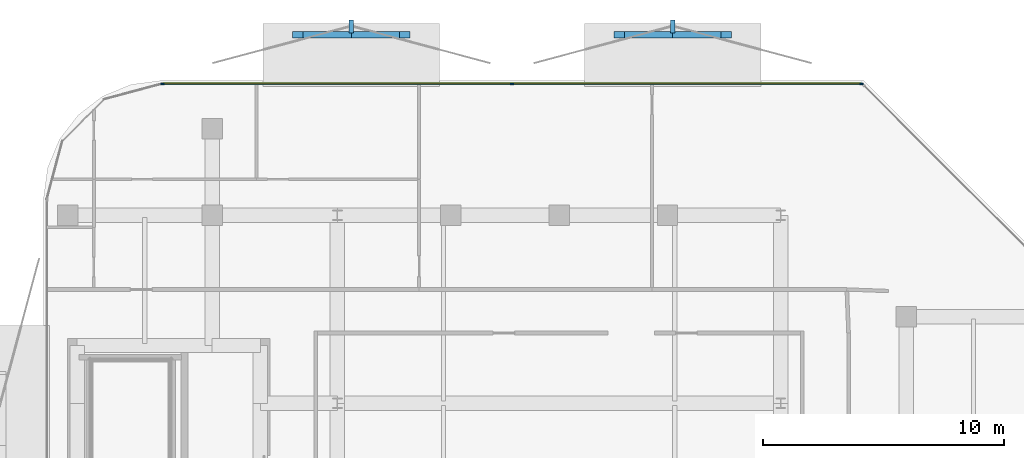
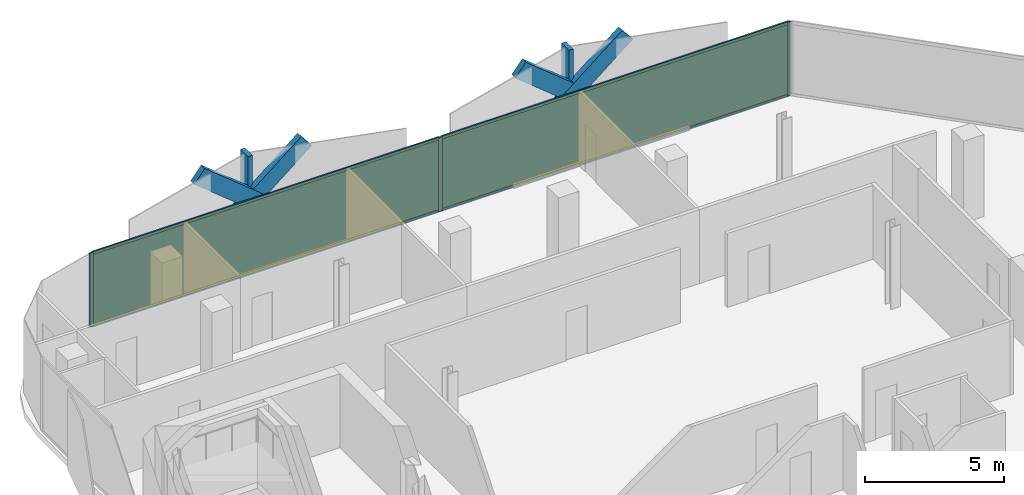
# One storey, part 10 of 15: 13 members, 2 plates, 1 curtain wall.
"""IFC4 building model written with IfcOpenShell, lengths in metres."""

import ifcopenshell
import ifcopenshell.guid

model = None  # the IFC model being written
_history = None  # IfcOwnerHistory: only IFC2X3 demands one
_inside = {}  # id of a spatial element -> (the spatial element, [elements in it])
_under = {}  # id of a project, library or spatial element -> (it, [spatial elements below it])
_declared = {}  # id of a project -> (the project, [libraries it declares])
_typed = {}  # id of a type object -> (the type object, [elements of that type])
_made_of = {}  # id of a material, layer set ... -> (it, [elements and type objects made of it])


def new_model(schema):
    """Start an empty IFC model of exactly this schema.

    Asked for "IFC4X3", IfcOpenShell would pick the latest addendum, in which some entities
    have other attributes; the version numbers below select the first issue.
    IFC2X3 requires an IfcOwnerHistory on every rooted entity: one is made here for all.
    """
    global model, _history
    if schema == "IFC4X3":
        model = ifcopenshell.file(schema_version=(4, 3, 0, 0))
    else:
        model = ifcopenshell.file(schema=schema)
    _inside.clear()
    _under.clear()
    _declared.clear()
    _typed.clear()
    _made_of.clear()
    _history = None
    if model.schema == "IFC2X3":
        org = make("IfcOrganization", Name="unknown")
        user = make(
            "IfcPersonAndOrganization",
            ThePerson=make("IfcPerson", FamilyName="unknown"),
            TheOrganization=org,
        )
        app = make(
            "IfcApplication",
            ApplicationDeveloper=org,
            Version="unknown",
            ApplicationFullName="unknown",
            ApplicationIdentifier="unknown",
        )
        _history = make(
            "IfcOwnerHistory",
            OwningUser=user,
            OwningApplication=app,
            ChangeAction="ADDED",
            CreationDate=0,
        )
    return model


def make(cls, **values):
    """One entity of the class cls with the attributes given. An attribute that is None is left unset."""
    return model.create_entity(
        cls, **{name: value for name, value in values.items() if value is not None}
    )


def rooted(cls, **values):
    """An entity with a GlobalId (a new one), such as an element, a storey or a relation."""
    return make(cls, GlobalId=ifcopenshell.guid.new(), OwnerHistory=_history, **values)


def si_unit(unit_type, name, prefix=None):
    """IfcSIUnit, for example si_unit("LENGTHUNIT", "METRE", prefix="MILLI")."""
    return make("IfcSIUnit", UnitType=unit_type, Prefix=prefix, Name=name)


def assignment(units):
    """IfcUnitAssignment: the units of a project."""
    return None if units is None else make("IfcUnitAssignment", Units=units)


def point(xyz):
    """IfcCartesianPoint."""
    return None if xyz is None else make("IfcCartesianPoint", Coordinates=xyz)


def direction(xyz):
    """IfcDirection."""
    return None if xyz is None else make("IfcDirection", DirectionRatios=xyz)


def frame(location, z_axis=None, x_axis=None):
    """IfcAxis2Placement3D, a coordinate frame: its origin and axes. An axis left out is left unset."""
    return make(
        "IfcAxis2Placement3D",
        Location=point(location),
        Axis=direction(z_axis),
        RefDirection=direction(x_axis),
    )


def frame_2d(location, x_axis=None):
    """IfcAxis2Placement2D, a coordinate frame in the plane: its origin and x axis."""
    return make(
        "IfcAxis2Placement2D", Location=point(location), RefDirection=direction(x_axis)
    )


def origin():
    """The frame at (0, 0, 0) with its axes left unset."""
    return frame((0.0, 0.0, 0.0))


def origin_2d():
    """The frame at (0, 0) in the plane with its x axis left unset."""
    return frame_2d((0.0, 0.0))


def place(relative_to, where):
    """IfcLocalPlacement: puts the frame where relative to a parent placement (None: the world)."""
    return make(
        "IfcLocalPlacement", PlacementRelTo=relative_to, RelativePlacement=where
    )


def context(
    kind, dimensions, precision=None, world=None, true_north=None, identifier=None
):
    """IfcGeometricRepresentationContext, for example the 3D "Model" context."""
    return make(
        "IfcGeometricRepresentationContext",
        ContextIdentifier=identifier,
        ContextType=kind,
        CoordinateSpaceDimension=dimensions,
        Precision=precision,
        WorldCoordinateSystem=world,
        TrueNorth=true_north,
    )


def subcontext(parent, identifier, kind, view, scale=None):
    """IfcGeometricRepresentationSubContext, for example "Body" below "Model"."""
    return make(
        "IfcGeometricRepresentationSubContext",
        ContextIdentifier=identifier,
        ContextType=kind,
        ParentContext=parent,
        TargetScale=scale,
        TargetView=view,
    )


def project(units=None, contexts=None):
    """IfcProject with its units and contexts."""
    return rooted(
        "IfcProject",
        Name="project",
        RepresentationContexts=contexts,
        UnitsInContext=assignment(units),
    )


def spatial(cls, under=None, at=None, **own):
    """A site, building, storey or space (cls), placed at a placement, below another one or the project."""
    s = rooted(cls, ObjectPlacement=at, **own)
    if under is not None:
        _under.setdefault(under.id(), (under, []))[1].append(s)
    return s


def profile(cls, at=None, kind="AREA", **sizes):
    """A parametric profile (cls). Its sizes go by their IFC names, for example OverallWidth=200.0."""
    return make(cls, ProfileType=kind, Position=at, **sizes)


def rectangle(**sizes):
    """IfcRectangleProfileDef."""
    return profile("IfcRectangleProfileDef", **sizes)


def extrude(swept, where, along, depth):
    """IfcExtrudedAreaSolid: the profile swept, set in the frame where, extruded along a direction by depth."""
    return make(
        "IfcExtrudedAreaSolid",
        SweptArea=swept,
        Position=where,
        ExtrudedDirection=direction(along),
        Depth=depth,
    )


def shape(context_of_items, identifier, shape_type, items):
    """IfcShapeRepresentation: the items that make up one representation, for example the "Body"."""
    return make(
        "IfcShapeRepresentation",
        ContextOfItems=context_of_items,
        RepresentationIdentifier=identifier,
        RepresentationType=shape_type,
        Items=items,
    )


def material(Name=None, Category=None):
    """IfcMaterial."""
    return make("IfcMaterial", Name=Name, Category=Category)


def layer(
    of_material, thickness, ventilated=None, Name=None, Category=None, Priority=None
):
    """IfcMaterialLayer: one layer of a wall or slab, of a material (None: an air gap)."""
    return make(
        "IfcMaterialLayer",
        Material=of_material,
        LayerThickness=thickness,
        IsVentilated=ventilated,
        Name=Name,
        Category=Category,
        Priority=Priority,
    )


def layer_set(layers, Name=None):
    """IfcMaterialLayerSet."""
    return make("IfcMaterialLayerSet", MaterialLayers=layers, LayerSetName=Name)


def material_profile(
    of_material, cross_section, Name=None, Category=None, Priority=None
):
    """IfcMaterialProfile: a cross section and its material."""
    return make(
        "IfcMaterialProfile",
        Name=Name,
        Material=of_material,
        Profile=cross_section,
        Priority=Priority,
        Category=Category,
    )


def profile_set(profiles, Name=None, composite=None):
    """IfcMaterialProfileSet."""
    return make(
        "IfcMaterialProfileSet",
        Name=Name,
        MaterialProfiles=profiles,
        CompositeProfile=composite,
    )


def made_of(thing, what):
    """Note that an element or type object is made of a material, layer set ...; save() writes the relation."""
    if what is not None:
        _made_of.setdefault(what.id(), (what, []))[1].append(thing)
    return thing


def type_object(cls, material=None, **own):
    """A type object (cls), such as IfcWallType, which elements share."""
    return made_of(rooted(cls, **own), material)


def element(
    cls,
    number,
    at=None,
    inside=None,
    cuts=None,
    type_object=None,
    material=None,
    context=None,
    identifier="Body",
    shape_type=None,
    held_by="IfcProductDefinitionShape",
    body=None,
    shapes=None,
    **own,
):
    """One element of the class cls, such as IfcWall. Its Tag is "e" and its number.

    at: its placement. inside: the storey or other place that contains it. cuts: it is an
    opening in that element (IfcRelVoidsElement). A single representation is given by context,
    identifier, shape_type and body (its items); several are given by shapes. held_by: the class
    of the entity that holds the representations. save() writes the other relations.
    """
    e = rooted(cls, Tag="e%d" % number, ObjectPlacement=at, **own)
    if body is not None:
        shapes = [shape(context, identifier, shape_type, body)]
    if shapes is not None:
        e.Representation = make(held_by, Representations=shapes)
    if inside is not None:
        _inside.setdefault(inside.id(), (inside, []))[1].append(e)
    if cuts is not None:
        rooted(
            "IfcRelVoidsElement", RelatingBuildingElement=cuts, RelatedOpeningElement=e
        )
    if type_object is not None:
        _typed.setdefault(type_object.id(), (type_object, []))[1].append(e)
    return made_of(e, material)


def aggregate(whole, parts):
    """IfcRelAggregates: a whole, such as a stair, and the parts it consists of."""
    return rooted("IfcRelAggregates", RelatingObject=whole, RelatedObjects=parts)


def save(model, path):
    """Write the relations noted so far, then the file.

    IfcRelAggregates (storeys below a building ...), IfcRelContainedInSpatialStructure (elements
    in a storey), IfcRelDefinesByType, IfcRelAssociatesMaterial and IfcRelDeclares: one each for
    every whole, place, type object, material and project.
    """
    for whole, parts in _under.values():
        aggregate(whole, parts)
    for where, things in _inside.values():
        rooted(
            "IfcRelContainedInSpatialStructure",
            RelatedElements=things,
            RelatingStructure=where,
        )
    for kind, things in _typed.values():
        rooted("IfcRelDefinesByType", RelatedObjects=things, RelatingType=kind)
    for what, things in _made_of.values():
        rooted("IfcRelAssociatesMaterial", RelatedObjects=things, RelatingMaterial=what)
    for by, libraries in _declared.values():
        rooted("IfcRelDeclares", RelatingContext=by, RelatedDefinitions=libraries)
    model.write(path)


model = new_model("IFC4")

# Units and contexts
model_context = context("Model", 3, precision=1e-05, world=origin(), true_north=direction((0.0, 1.0)))
body_context = subcontext(model_context, "Body", "Model", "MODEL_VIEW")
ifc_project = project(units=[si_unit("LENGTHUNIT", "METRE"), si_unit("AREAUNIT", "SQUARE_METRE"), si_unit("VOLUMEUNIT", "CUBIC_METRE"), si_unit("PLANEANGLEUNIT", "RADIAN"), si_unit("MASSUNIT", "GRAM", prefix="KILO")], contexts=[model_context])

# Member
ifc_material_1 = material(Name="Anodised Bronze Aluminium 6063-T6", Category="aluminium")
ifc_material_profile_1 = material_profile(ifc_material_1, rectangle(XDim=0.260009765625, YDim=0.699951171875, at=origin_2d()))
ifc_profile_set_1 = profile_set([ifc_material_profile_1], Name="Anodised Bronze Aluminium 6063-T6")
member_type_1 = type_object("IfcMemberType", Name="Bronze Diamond Solar-Screen Lattice Rib BDL-700", PredefinedType="MULLION", material=ifc_profile_set_1)
site_placement = place(None, origin())
building_placement = place(site_placement, origin())
storey_placement = place(building_placement, frame((0.0, 0.0, 269.199951171875)))
member_1_placement = place(storey_placement, frame((-10.84521484375, 26.10009765625, -0.1298828125), z_axis=(0.777136519485, 0.0, 0.629332050736), x_axis=(0.0, 1.0, 0.0)))
member_1 = element("IfcMember", 1, at=member_1_placement, type_object=member_type_1, Name="L64 Bronze Diamond Solar Screen Lattice Rib 445A", PredefinedType="MULLION", context=body_context, shape_type="SweptSolid", body=[
    extrude(rectangle(XDim=0.260009765625, YDim=0.699951171875, at=origin_2d()), origin(), (0.0, 0.0, 1.0), 5.72021484375),
])

member_2_placement = place(storey_placement, frame((-6.39990234375, 26.10009765625, -0.1298828125), z_axis=(-0.777136519485, 0.0, 0.629332050736), x_axis=(0.0, -1.0, 0.0)))
member_2 = element("IfcMember", 2, at=member_2_placement, type_object=member_type_1, Name="L64 Bronze Diamond Solar Screen Lattice Rib 445B", PredefinedType="MULLION", context=body_context, shape_type="SweptSolid", body=[
    extrude(rectangle(XDim=0.260009765625, YDim=0.699951171875, at=origin_2d()), origin(), (0.0, 0.0, 1.0), 5.72021484375),
])

member_3_placement = place(storey_placement, frame((2.4912109375, 26.10009765625, -0.1298828125), z_axis=(0.777136519485, 0.0, 0.629332050736), x_axis=(0.0, 1.0, 0.0)))
member_3 = element("IfcMember", 3, at=member_3_placement, type_object=member_type_1, Name="L64 Bronze Diamond Solar Screen Lattice Rib 446A", PredefinedType="MULLION", context=body_context, shape_type="SweptSolid", body=[
    extrude(rectangle(XDim=0.260009765625, YDim=0.699951171875, at=origin_2d()), origin(), (0.0, 0.0, 1.0), 5.72021484375),
])

member_4_placement = place(storey_placement, frame((6.9365234375, 26.10009765625, -0.1298828125), z_axis=(-0.777136519485, 0.0, 0.629332050736), x_axis=(0.0, -1.0, 0.0)))
member_4 = element("IfcMember", 4, at=member_4_placement, type_object=member_type_1, Name="L64 Bronze Diamond Solar Screen Lattice Rib 446B", PredefinedType="MULLION", context=body_context, shape_type="SweptSolid", body=[
    extrude(rectangle(XDim=0.260009765625, YDim=0.699951171875, at=origin_2d()), origin(), (0.0, 0.0, 1.0), 5.72021484375),
])

ifc_material_2 = material(Name="Anodised Bronze Aluminium 6063-T6", Category="aluminium")
ifc_material_profile_2 = material_profile(ifc_material_2, rectangle(XDim=0.179931640625, YDim=0.5400390625, at=origin_2d()))
ifc_profile_set_2 = profile_set([ifc_material_profile_2], Name="Anodised Bronze Aluminium 6063-T6")
member_type_2 = type_object("IfcMemberType", Name="Bronze Solar-Screen Vertical Fold Fin BSF-540", PredefinedType="MULLION", material=ifc_profile_set_2)
member_5_placement = place(storey_placement, frame((-8.62255859375, 26.43994140625, -0.1298828125), z_axis=(0.0, 0.0, 1.0), x_axis=(1.0, 0.0, 0.0)))
member_5 = element("IfcMember", 5, at=member_5_placement, type_object=member_type_2, Name="L64 Bronze Solar Screen Vertical Fin 445", PredefinedType="MULLION", context=body_context, shape_type="SweptSolid", body=[
    extrude(rectangle(XDim=0.179931640625, YDim=0.5400390625, at=origin_2d()), origin(), (0.0, 0.0, 1.0), 3.599853515625),
])

member_6_placement = place(storey_placement, frame((4.7138671875, 26.43994140625, -0.1298828125), z_axis=(0.0, 0.0, 1.0), x_axis=(1.0, 0.0, 0.0)))
member_6 = element("IfcMember", 6, at=member_6_placement, type_object=member_type_2, Name="L64 Bronze Solar Screen Vertical Fin 446", PredefinedType="MULLION", context=body_context, shape_type="SweptSolid", body=[
    extrude(rectangle(XDim=0.179931640625, YDim=0.5400390625, at=origin_2d()), origin(), (0.0, 0.0, 1.0), 3.599853515625),
])

ifc_material_3 = material(Name="Anodised Bronze Aluminium 6063-T6", Category="aluminium")
ifc_material_profile_3 = material_profile(ifc_material_3, rectangle(XDim=0.06005859375, YDim=0.159912109375, at=origin_2d()))
ifc_profile_set_3 = profile_set([ifc_material_profile_3], Name="Anodised Bronze Aluminium 6063-T6")
member_type_3 = type_object("IfcMemberType", Name="CW-Z4 Mullion 60x160", PredefinedType="MULLION", material=ifc_profile_set_3)
member_7_placement = place(storey_placement, frame((-16.460693359375, 24.06005859375, 0.0), z_axis=(0.0, 0.0, 1.0), x_axis=(0.0, 1.0, 0.0)))
member_7 = element("IfcMember", 7, at=member_7_placement, type_object=member_type_3, Name="CW-Z4 mullion 1", PredefinedType="MULLION", context=body_context, shape_type="SweptSolid", body=[
    extrude(rectangle(XDim=0.06005859375, YDim=0.159912109375, at=origin_2d()), origin(), (0.0, 0.0, 1.0), 3.25),
])

member_8_placement = place(storey_placement, frame((-1.954345703125, 24.06005859375, 0.0), z_axis=(0.0, 0.0, 1.0), x_axis=(0.0, 1.0, 0.0)))
member_8 = element("IfcMember", 8, at=member_8_placement, type_object=member_type_3, Name="CW-Z4 mullion 2", PredefinedType="MULLION", context=body_context, shape_type="SweptSolid", body=[
    extrude(rectangle(XDim=0.06005859375, YDim=0.159912109375, at=origin_2d()), origin(), (0.0, 0.0, 1.0), 3.25),
])

member_9_placement = place(storey_placement, frame((12.552001953125, 24.06005859375, 0.0), z_axis=(0.0, 0.0, 1.0), x_axis=(0.0, 1.0, 0.0)))
member_9 = element("IfcMember", 9, at=member_9_placement, type_object=member_type_3, Name="CW-Z4 mullion 3", PredefinedType="MULLION", context=body_context, shape_type="SweptSolid", body=[
    extrude(rectangle(XDim=0.06005859375, YDim=0.159912109375, at=origin_2d()), origin(), (0.0, 0.0, 1.0), 3.25),
])

ifc_material_4 = material(Name="Anodised Bronze Aluminium 6063-T6", Category="aluminium")
ifc_material_profile_4 = material_profile(ifc_material_4, rectangle(XDim=0.06005859375, YDim=0.125, at=origin_2d()))
ifc_profile_set_4 = profile_set([ifc_material_profile_4], Name="Anodised Bronze Aluminium 6063-T6")
member_type_4 = type_object("IfcMemberType", Name="CW-Z4 Transom 60x125", PredefinedType="USERDEFINED", material=ifc_profile_set_4)
member_10_placement = place(storey_placement, frame((-16.430908203125, 24.06005859375, 0.030029296875), z_axis=(1.0, 0.0, 0.0), x_axis=(0.0, 1.0, 0.0)))
member_10 = element("IfcMember", 10, at=member_10_placement, type_object=member_type_4, Name="CW-Z4 transom 1.1", ObjectType="TRANSOM", PredefinedType="USERDEFINED", context=body_context, shape_type="SweptSolid", body=[
    extrude(rectangle(XDim=0.06005859375, YDim=0.125, at=origin_2d()), origin(), (0.0, 0.0, 1.0), 14.446533203125),
])

member_11_placement = place(storey_placement, frame((-16.430908203125, 24.06005859375, 3.219970703125), z_axis=(1.0, 0.0, 0.0), x_axis=(0.0, 1.0, 0.0)))
member_11 = element("IfcMember", 11, at=member_11_placement, type_object=member_type_4, Name="CW-Z4 transom 1.2", ObjectType="TRANSOM", PredefinedType="USERDEFINED", context=body_context, shape_type="SweptSolid", body=[
    extrude(rectangle(XDim=0.06005859375, YDim=0.125, at=origin_2d()), origin(), (0.0, 0.0, 1.0), 14.446533203125),
])

member_12_placement = place(storey_placement, frame((-1.92431640625, 24.06005859375, 0.030029296875), z_axis=(1.0, 0.0, 0.0), x_axis=(0.0, 1.0, 0.0)))
member_12 = element("IfcMember", 12, at=member_12_placement, type_object=member_type_4, Name="CW-Z4 transom 2.1", ObjectType="TRANSOM", PredefinedType="USERDEFINED", context=body_context, shape_type="SweptSolid", body=[
    extrude(rectangle(XDim=0.06005859375, YDim=0.125, at=origin_2d()), origin(), (0.0, 0.0, 1.0), 14.4462890625),
])

member_13_placement = place(storey_placement, frame((-1.92431640625, 24.06005859375, 3.219970703125), z_axis=(1.0, 0.0, 0.0), x_axis=(0.0, 1.0, 0.0)))
member_13 = element("IfcMember", 13, at=member_13_placement, type_object=member_type_4, Name="CW-Z4 transom 2.2", ObjectType="TRANSOM", PredefinedType="USERDEFINED", context=body_context, shape_type="SweptSolid", body=[
    extrude(rectangle(XDim=0.06005859375, YDim=0.125, at=origin_2d()), origin(), (0.0, 0.0, 1.0), 14.4462890625),
])

# Plate
ifc_material_5 = material(Name="Low-E Solar Control Laminated Glass", Category="glass")
ifc_layer_1 = layer(ifc_material_5, 0.030029296875, Name="Low-E Solar Control Laminated Glass")
ifc_layer_set_1 = layer_set([ifc_layer_1], Name="Low-E Solar Control Laminated Glass")
plate_type = type_object("IfcPlateType", Name="CW-Z4 Low-E Double Glazed Panel 30mm", PredefinedType="CURTAIN_PANEL", material=ifc_layer_set_1)
plate_1_placement = place(storey_placement, frame((-9.20751953125, 24.06005859375, 0.06005859375), z_axis=(0.0, 0.0, 1.0), x_axis=(1.0, 0.0, 0.0)))
plate_1 = element("IfcPlate", 14, at=plate_1_placement, type_object=plate_type, Name="CW-Z4 panel 1.1", PredefinedType="CURTAIN_PANEL", context=body_context, shape_type="SweptSolid", body=[
    extrude(rectangle(XDim=14.4462890625, YDim=0.030029296875, at=origin_2d()), origin(), (0.0, 0.0, 1.0), 3.1298828125),
])

plate_2_placement = place(storey_placement, frame((5.298828125, 24.06005859375, 0.06005859375), z_axis=(0.0, 0.0, 1.0), x_axis=(1.0, 0.0, 0.0)))
plate_2 = element("IfcPlate", 15, at=plate_2_placement, type_object=plate_type, Name="CW-Z4 panel 2.1", PredefinedType="CURTAIN_PANEL", context=body_context, shape_type="SweptSolid", body=[
    extrude(rectangle(XDim=14.4462890625, YDim=0.030029296875, at=origin_2d()), origin(), (0.0, 0.0, 1.0), 3.1298828125),
])

# Site, building, storey
site = spatial("IfcSite", under=ifc_project, at=site_placement, CompositionType="ELEMENT")
building = spatial("IfcBuilding", under=site, at=building_placement, Name="Khairoan Windgate Tower", CompositionType="ELEMENT")
storey = spatial("IfcBuildingStorey", under=building, at=storey_placement, Name="L64", CompositionType="ELEMENT", Elevation=269.199951171875)

# Curtain wall
ifc_material_6 = material(Name="Anodised Bronze Aluminium 6063-T6", Category="aluminium")
ifc_layer_2 = layer(ifc_material_6, 0.159912109375, Name="Anodised Bronze Aluminium 6063-T6")
ifc_layer_set_2 = layer_set([ifc_layer_2], Name="Anodised Bronze Aluminium 6063-T6")
curtain_wall_type = type_object("IfcCurtainWallType", Name="Sky Residence Unitised Curtain Wall CW-Z4", PredefinedType="NOTDEFINED", material=ifc_layer_set_2)
curtain_wall_placement = place(storey_placement, frame((-16.49072265625, 24.06005859375, 0.0), z_axis=(0.0, 0.0, 1.0), x_axis=(1.0, 0.0, 0.0)))
curtain_wall = element("IfcCurtainWall", 16, at=curtain_wall_placement, inside=storey, type_object=curtain_wall_type, Name="L64 Unitised Curtain Wall 9", PredefinedType="NOTDEFINED", context=body_context, shape_type="SweptSolid", body=[
    extrude(rectangle(XDim=29.07275390625, YDim=0.010009765625, at=frame_2d((14.536376953125, 0.0))), origin(), (0.0, 0.0, 1.0), 3.25),
])

aggregate(curtain_wall, [member_7, member_8, member_9, member_10, member_11, plate_1, member_12, member_13, plate_2, member_1, member_2, member_5, member_3, member_4, member_6])

save(model, "model.ifc")
